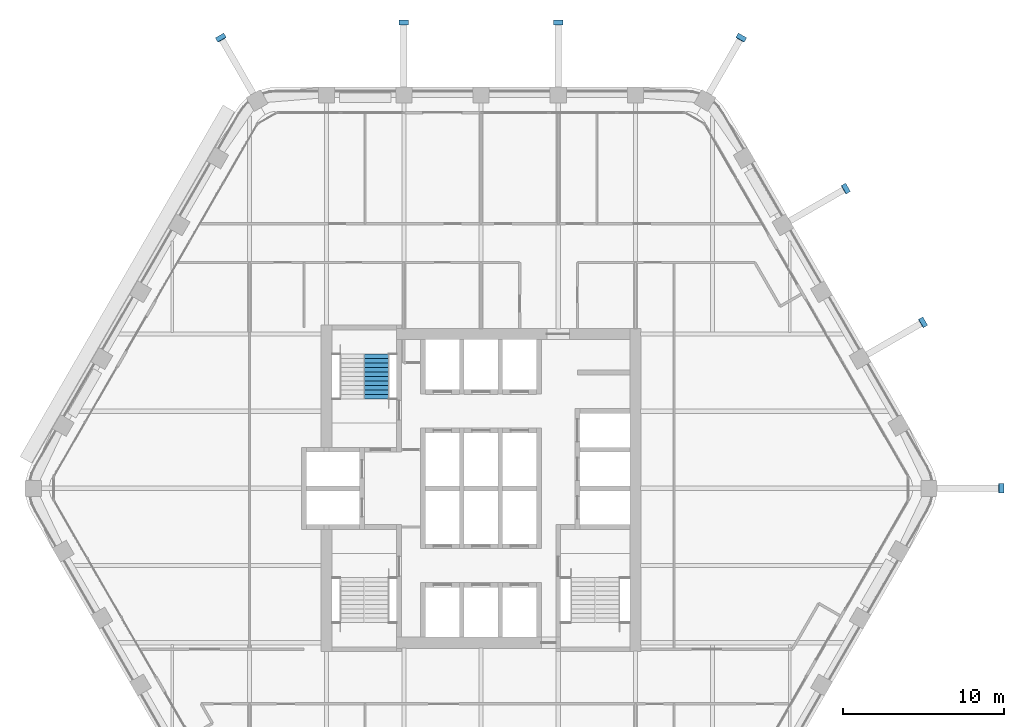
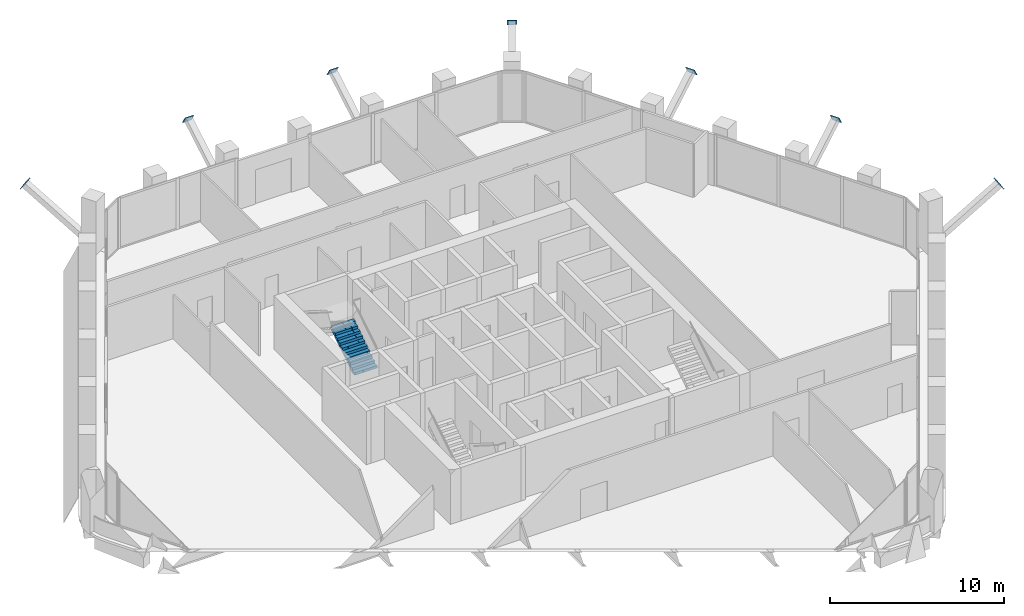
# One storey, part 14 of 16: 7 discrete accessories, 1 stair flight, 1 element without a shape of its own.
"""IFC4 building model written with IfcOpenShell, lengths in metres."""

import ifcopenshell
import ifcopenshell.guid

model = None  # the IFC model being written
_history = None  # IfcOwnerHistory: only IFC2X3 demands one
_inside = {}  # id of a spatial element -> (the spatial element, [elements in it])
_under = {}  # id of a project, library or spatial element -> (it, [spatial elements below it])
_declared = {}  # id of a project -> (the project, [libraries it declares])
_typed = {}  # id of a type object -> (the type object, [elements of that type])
_made_of = {}  # id of a material, layer set ... -> (it, [elements and type objects made of it])


def new_model(schema):
    """Start an empty IFC model of exactly this schema.

    Asked for "IFC4X3", IfcOpenShell would pick the latest addendum, in which some entities
    have other attributes; the version numbers below select the first issue.
    IFC2X3 requires an IfcOwnerHistory on every rooted entity: one is made here for all.
    """
    global model, _history
    if schema == "IFC4X3":
        model = ifcopenshell.file(schema_version=(4, 3, 0, 0))
    else:
        model = ifcopenshell.file(schema=schema)
    _inside.clear()
    _under.clear()
    _declared.clear()
    _typed.clear()
    _made_of.clear()
    _history = None
    if model.schema == "IFC2X3":
        org = make("IfcOrganization", Name="unknown")
        user = make(
            "IfcPersonAndOrganization",
            ThePerson=make("IfcPerson", FamilyName="unknown"),
            TheOrganization=org,
        )
        app = make(
            "IfcApplication",
            ApplicationDeveloper=org,
            Version="unknown",
            ApplicationFullName="unknown",
            ApplicationIdentifier="unknown",
        )
        _history = make(
            "IfcOwnerHistory",
            OwningUser=user,
            OwningApplication=app,
            ChangeAction="ADDED",
            CreationDate=0,
        )
    return model


def make(cls, **values):
    """One entity of the class cls with the attributes given. An attribute that is None is left unset."""
    return model.create_entity(
        cls, **{name: value for name, value in values.items() if value is not None}
    )


def rooted(cls, **values):
    """An entity with a GlobalId (a new one), such as an element, a storey or a relation."""
    return make(cls, GlobalId=ifcopenshell.guid.new(), OwnerHistory=_history, **values)


def si_unit(unit_type, name, prefix=None):
    """IfcSIUnit, for example si_unit("LENGTHUNIT", "METRE", prefix="MILLI")."""
    return make("IfcSIUnit", UnitType=unit_type, Prefix=prefix, Name=name)


def assignment(units):
    """IfcUnitAssignment: the units of a project."""
    return None if units is None else make("IfcUnitAssignment", Units=units)


def point(xyz):
    """IfcCartesianPoint."""
    return None if xyz is None else make("IfcCartesianPoint", Coordinates=xyz)


def direction(xyz):
    """IfcDirection."""
    return None if xyz is None else make("IfcDirection", DirectionRatios=xyz)


def frame(location, z_axis=None, x_axis=None):
    """IfcAxis2Placement3D, a coordinate frame: its origin and axes. An axis left out is left unset."""
    return make(
        "IfcAxis2Placement3D",
        Location=point(location),
        Axis=direction(z_axis),
        RefDirection=direction(x_axis),
    )


def frame_2d(location, x_axis=None):
    """IfcAxis2Placement2D, a coordinate frame in the plane: its origin and x axis."""
    return make(
        "IfcAxis2Placement2D", Location=point(location), RefDirection=direction(x_axis)
    )


def origin():
    """The frame at (0, 0, 0) with its axes left unset."""
    return frame((0.0, 0.0, 0.0))


def origin_2d():
    """The frame at (0, 0) in the plane with its x axis left unset."""
    return frame_2d((0.0, 0.0))


def place(relative_to, where):
    """IfcLocalPlacement: puts the frame where relative to a parent placement (None: the world)."""
    return make(
        "IfcLocalPlacement", PlacementRelTo=relative_to, RelativePlacement=where
    )


def context(
    kind, dimensions, precision=None, world=None, true_north=None, identifier=None
):
    """IfcGeometricRepresentationContext, for example the 3D "Model" context."""
    return make(
        "IfcGeometricRepresentationContext",
        ContextIdentifier=identifier,
        ContextType=kind,
        CoordinateSpaceDimension=dimensions,
        Precision=precision,
        WorldCoordinateSystem=world,
        TrueNorth=true_north,
    )


def subcontext(parent, identifier, kind, view, scale=None):
    """IfcGeometricRepresentationSubContext, for example "Body" below "Model"."""
    return make(
        "IfcGeometricRepresentationSubContext",
        ContextIdentifier=identifier,
        ContextType=kind,
        ParentContext=parent,
        TargetScale=scale,
        TargetView=view,
    )


def project(units=None, contexts=None):
    """IfcProject with its units and contexts."""
    return rooted(
        "IfcProject",
        Name="project",
        RepresentationContexts=contexts,
        UnitsInContext=assignment(units),
    )


def spatial(cls, under=None, at=None, **own):
    """A site, building, storey or space (cls), placed at a placement, below another one or the project."""
    s = rooted(cls, ObjectPlacement=at, **own)
    if under is not None:
        _under.setdefault(under.id(), (under, []))[1].append(s)
    return s


def polyline(points):
    """IfcPolyline through the points."""
    return make("IfcPolyline", Points=[point(p) for p in points])


def profile(cls, at=None, kind="AREA", **sizes):
    """A parametric profile (cls). Its sizes go by their IFC names, for example OverallWidth=200.0."""
    return make(cls, ProfileType=kind, Position=at, **sizes)


def rectangle(**sizes):
    """IfcRectangleProfileDef."""
    return profile("IfcRectangleProfileDef", **sizes)


def outline(outer, holes=None, kind="AREA"):
    """IfcArbitraryClosedProfileDef: a profile drawn as a closed curve; with holes, ...WithVoids."""
    if holes is None:
        return make("IfcArbitraryClosedProfileDef", ProfileType=kind, OuterCurve=outer)
    return make(
        "IfcArbitraryProfileDefWithVoids",
        ProfileType=kind,
        OuterCurve=outer,
        InnerCurves=holes,
    )


def extrude(swept, where, along, depth):
    """IfcExtrudedAreaSolid: the profile swept, set in the frame where, extruded along a direction by depth."""
    return make(
        "IfcExtrudedAreaSolid",
        SweptArea=swept,
        Position=where,
        ExtrudedDirection=direction(along),
        Depth=depth,
    )


def shape(context_of_items, identifier, shape_type, items):
    """IfcShapeRepresentation: the items that make up one representation, for example the "Body"."""
    return make(
        "IfcShapeRepresentation",
        ContextOfItems=context_of_items,
        RepresentationIdentifier=identifier,
        RepresentationType=shape_type,
        Items=items,
    )


def material(Name=None, Category=None):
    """IfcMaterial."""
    return make("IfcMaterial", Name=Name, Category=Category)


def made_of(thing, what):
    """Note that an element or type object is made of a material, layer set ...; save() writes the relation."""
    if what is not None:
        _made_of.setdefault(what.id(), (what, []))[1].append(thing)
    return thing


def type_object(cls, material=None, **own):
    """A type object (cls), such as IfcWallType, which elements share."""
    return made_of(rooted(cls, **own), material)


def element(
    cls,
    number,
    at=None,
    inside=None,
    cuts=None,
    type_object=None,
    material=None,
    context=None,
    identifier="Body",
    shape_type=None,
    held_by="IfcProductDefinitionShape",
    body=None,
    shapes=None,
    **own,
):
    """One element of the class cls, such as IfcWall. Its Tag is "e" and its number.

    at: its placement. inside: the storey or other place that contains it. cuts: it is an
    opening in that element (IfcRelVoidsElement). A single representation is given by context,
    identifier, shape_type and body (its items); several are given by shapes. held_by: the class
    of the entity that holds the representations. save() writes the other relations.
    """
    e = rooted(cls, Tag="e%d" % number, ObjectPlacement=at, **own)
    if body is not None:
        shapes = [shape(context, identifier, shape_type, body)]
    if shapes is not None:
        e.Representation = make(held_by, Representations=shapes)
    if inside is not None:
        _inside.setdefault(inside.id(), (inside, []))[1].append(e)
    if cuts is not None:
        rooted(
            "IfcRelVoidsElement", RelatingBuildingElement=cuts, RelatedOpeningElement=e
        )
    if type_object is not None:
        _typed.setdefault(type_object.id(), (type_object, []))[1].append(e)
    return made_of(e, material)


def aggregate(whole, parts):
    """IfcRelAggregates: a whole, such as a stair, and the parts it consists of."""
    return rooted("IfcRelAggregates", RelatingObject=whole, RelatedObjects=parts)


def save(model, path):
    """Write the relations noted so far, then the file.

    IfcRelAggregates (storeys below a building ...), IfcRelContainedInSpatialStructure (elements
    in a storey), IfcRelDefinesByType, IfcRelAssociatesMaterial and IfcRelDeclares: one each for
    every whole, place, type object, material and project.
    """
    for whole, parts in _under.values():
        aggregate(whole, parts)
    for where, things in _inside.values():
        rooted(
            "IfcRelContainedInSpatialStructure",
            RelatedElements=things,
            RelatingStructure=where,
        )
    for kind, things in _typed.values():
        rooted("IfcRelDefinesByType", RelatedObjects=things, RelatingType=kind)
    for what, things in _made_of.values():
        rooted("IfcRelAssociatesMaterial", RelatedObjects=things, RelatingMaterial=what)
    for by, libraries in _declared.values():
        rooted("IfcRelDeclares", RelatingContext=by, RelatedDefinitions=libraries)
    model.write(path)


model = new_model("IFC4")

# Units and contexts
model_context = context("Model", 3, precision=1e-05, world=origin(), true_north=direction((0.0, 1.0)))
body_context = subcontext(model_context, "Body", "Model", "MODEL_VIEW")
ifc_project = project(units=[si_unit("LENGTHUNIT", "METRE"), si_unit("AREAUNIT", "SQUARE_METRE"), si_unit("VOLUMEUNIT", "CUBIC_METRE"), si_unit("PLANEANGLEUNIT", "RADIAN"), si_unit("MASSUNIT", "GRAM", prefix="KILO")], contexts=[model_context])

# Site, building, storey
site_placement = place(None, origin())
site = spatial("IfcSite", under=ifc_project, at=site_placement, CompositionType="ELEMENT")
building_placement = place(site_placement, origin())
building = spatial("IfcBuilding", under=site, at=building_placement, Name="Kolab Exchange Tower", CompositionType="ELEMENT")
storey_placement = place(building_placement, frame((0.0, 0.0, 162.199951171875)))
storey = spatial("IfcBuildingStorey", under=building, at=storey_placement, Name="L33", CompositionType="ELEMENT", Elevation=162.199951171875)

# Stair, stair flight
ifc_material = material(Name="Concrete C50/60", Category="concrete")
stair_type = type_object("IfcStairType", Name="STAIR ST1 RISER 177.3", PredefinedType="HALF_TURN_STAIR", material=ifc_material)
stair_placement = place(storey_placement, origin())
stair = element("IfcStair", 1, at=stair_placement, inside=storey, type_object=stair_type, Name="Stair 1", PredefinedType="HALF_TURN_STAIR")
stair_flight_type = type_object("IfcStairFlightType", Name="STAIR FLIGHT 1500 RISER 177.3", PredefinedType="STRAIGHT", material=ifc_material)
stair_flight_placement = place(storey_placement, frame((-6.489990234375, 5.550048828125, 0.0), z_axis=(0.0, 0.0, 1.0), x_axis=(0.0, 1.0, 0.0)))
stair_flight = element("IfcStairFlight", 2, at=stair_flight_placement, type_object=stair_flight_type, Name="ST1 flight 1", NumberOfRisers=11, NumberOfTreads=10, PredefinedType="STRAIGHT", RiserHeight=0.177272727, TreadLength=0.28, context=body_context, shape_type="SweptSolid", body=[
    extrude(outline(polyline([(0.0, 0.0), (0.0, 0.17724609375), (0.280029296875, 0.17724609375), (0.280029296875, 0.3544921875), (0.56005859375, 0.3544921875), (0.56005859375, 0.53173828125), (0.840087890625, 0.53173828125), (0.840087890625, 0.708984375), (1.1201171875, 0.708984375), (1.1201171875, 0.886474609375), (1.39990234375, 0.886474609375), (1.39990234375, 1.063720703125), (1.679931640625, 1.063720703125), (1.679931640625, 1.240966796875), (1.9599609375, 1.240966796875), (1.9599609375, 1.418212890625), (2.239990234375, 1.418212890625), (2.239990234375, 1.595458984375), (2.52001953125, 1.595458984375), (2.52001953125, 1.772705078125), (2.800048828125, 1.772705078125), (2.800048828125, 1.949951171875), (2.800048828125, 1.59521484375), (0.2802734375, 0.0), (0.0, 0.0)])), frame((0.0, 0.75, 0.0), z_axis=(0.0, -1.0, 0.0), x_axis=(1.0, 0.0, 0.0)), (0.0, 0.0, 1.0), 0.185791015625),
    extrude(outline(polyline([(0.0, 0.0), (0.0, 0.17724609375), (0.280029296875, 0.17724609375), (0.280029296875, 0.3544921875), (0.56005859375, 0.3544921875), (0.56005859375, 0.53173828125), (0.840087890625, 0.53173828125), (0.840087890625, 0.708984375), (1.1201171875, 0.708984375), (1.1201171875, 0.886474609375), (1.39990234375, 0.886474609375), (1.39990234375, 1.063720703125), (1.679931640625, 1.063720703125), (1.679931640625, 1.240966796875), (1.9599609375, 1.240966796875), (1.9599609375, 1.418212890625), (2.239990234375, 1.418212890625), (2.239990234375, 1.595458984375), (2.52001953125, 1.595458984375), (2.52001953125, 1.772705078125), (2.800048828125, 1.772705078125), (2.800048828125, 1.949951171875), (2.800048828125, 1.59521484375), (0.2802734375, 0.0), (0.0, 0.0)])), frame((0.0, 0.562255859375, 0.0), z_axis=(0.0, -1.0, 0.0), x_axis=(1.0, 0.0, 0.0)), (0.0, 0.0, 1.0), 0.185791015625),
    extrude(outline(polyline([(0.0, 0.0), (0.0, 0.17724609375), (0.280029296875, 0.17724609375), (0.280029296875, 0.3544921875), (0.56005859375, 0.3544921875), (0.56005859375, 0.53173828125), (0.840087890625, 0.53173828125), (0.840087890625, 0.708984375), (1.1201171875, 0.708984375), (1.1201171875, 0.886474609375), (1.39990234375, 0.886474609375), (1.39990234375, 1.063720703125), (1.679931640625, 1.063720703125), (1.679931640625, 1.240966796875), (1.9599609375, 1.240966796875), (1.9599609375, 1.418212890625), (2.239990234375, 1.418212890625), (2.239990234375, 1.595458984375), (2.52001953125, 1.595458984375), (2.52001953125, 1.772705078125), (2.800048828125, 1.772705078125), (2.800048828125, 1.949951171875), (2.800048828125, 1.59521484375), (0.2802734375, 0.0), (0.0, 0.0)])), frame((0.0, 0.37451171875, 0.0), z_axis=(0.0, -1.0, 0.0), x_axis=(1.0, 0.0, 0.0)), (0.0, 0.0, 1.0), 0.185791015625),
    extrude(outline(polyline([(0.0, 0.0), (0.0, 0.17724609375), (0.280029296875, 0.17724609375), (0.280029296875, 0.3544921875), (0.56005859375, 0.3544921875), (0.56005859375, 0.53173828125), (0.840087890625, 0.53173828125), (0.840087890625, 0.708984375), (1.1201171875, 0.708984375), (1.1201171875, 0.886474609375), (1.39990234375, 0.886474609375), (1.39990234375, 1.063720703125), (1.679931640625, 1.063720703125), (1.679931640625, 1.240966796875), (1.9599609375, 1.240966796875), (1.9599609375, 1.418212890625), (2.239990234375, 1.418212890625), (2.239990234375, 1.595458984375), (2.52001953125, 1.595458984375), (2.52001953125, 1.772705078125), (2.800048828125, 1.772705078125), (2.800048828125, 1.949951171875), (2.800048828125, 1.59521484375), (0.2802734375, 0.0), (0.0, 0.0)])), frame((0.0, 0.186767578125, 0.0), z_axis=(0.0, -1.0, 0.0), x_axis=(1.0, 0.0, 0.0)), (0.0, 0.0, 1.0), 0.185791015625),
    extrude(outline(polyline([(0.0, 0.0), (0.0, 0.17724609375), (0.280029296875, 0.17724609375), (0.280029296875, 0.3544921875), (0.56005859375, 0.3544921875), (0.56005859375, 0.53173828125), (0.840087890625, 0.53173828125), (0.840087890625, 0.708984375), (1.1201171875, 0.708984375), (1.1201171875, 0.886474609375), (1.39990234375, 0.886474609375), (1.39990234375, 1.063720703125), (1.679931640625, 1.063720703125), (1.679931640625, 1.240966796875), (1.9599609375, 1.240966796875), (1.9599609375, 1.418212890625), (2.239990234375, 1.418212890625), (2.239990234375, 1.595458984375), (2.52001953125, 1.595458984375), (2.52001953125, 1.772705078125), (2.800048828125, 1.772705078125), (2.800048828125, 1.949951171875), (2.800048828125, 1.59521484375), (0.2802734375, 0.0), (0.0, 0.0)])), frame((0.0, -0.0009765625, 0.0), z_axis=(0.0, -1.0, 0.0), x_axis=(1.0, 0.0, 0.0)), (0.0, 0.0, 1.0), 0.185791015625),
    extrude(outline(polyline([(0.0, 0.0), (0.0, 0.17724609375), (0.280029296875, 0.17724609375), (0.280029296875, 0.3544921875), (0.56005859375, 0.3544921875), (0.56005859375, 0.53173828125), (0.840087890625, 0.53173828125), (0.840087890625, 0.708984375), (1.1201171875, 0.708984375), (1.1201171875, 0.886474609375), (1.39990234375, 0.886474609375), (1.39990234375, 1.063720703125), (1.679931640625, 1.063720703125), (1.679931640625, 1.240966796875), (1.9599609375, 1.240966796875), (1.9599609375, 1.418212890625), (2.239990234375, 1.418212890625), (2.239990234375, 1.595458984375), (2.52001953125, 1.595458984375), (2.52001953125, 1.772705078125), (2.800048828125, 1.772705078125), (2.800048828125, 1.949951171875), (2.800048828125, 1.59521484375), (0.2802734375, 0.0), (0.0, 0.0)])), frame((0.0, -0.188720703125, 0.0), z_axis=(0.0, -1.0, 0.0), x_axis=(1.0, 0.0, 0.0)), (0.0, 0.0, 1.0), 0.185791015625),
    extrude(outline(polyline([(0.0, 0.0), (0.0, 0.17724609375), (0.280029296875, 0.17724609375), (0.280029296875, 0.3544921875), (0.56005859375, 0.3544921875), (0.56005859375, 0.53173828125), (0.840087890625, 0.53173828125), (0.840087890625, 0.708984375), (1.1201171875, 0.708984375), (1.1201171875, 0.886474609375), (1.39990234375, 0.886474609375), (1.39990234375, 1.063720703125), (1.679931640625, 1.063720703125), (1.679931640625, 1.240966796875), (1.9599609375, 1.240966796875), (1.9599609375, 1.418212890625), (2.239990234375, 1.418212890625), (2.239990234375, 1.595458984375), (2.52001953125, 1.595458984375), (2.52001953125, 1.772705078125), (2.800048828125, 1.772705078125), (2.800048828125, 1.949951171875), (2.800048828125, 1.59521484375), (0.2802734375, 0.0), (0.0, 0.0)])), frame((0.0, -0.37646484375, 0.0), z_axis=(0.0, -1.0, 0.0), x_axis=(1.0, 0.0, 0.0)), (0.0, 0.0, 1.0), 0.185791015625),
    extrude(outline(polyline([(0.0, 0.0), (0.0, 0.17724609375), (0.280029296875, 0.17724609375), (0.280029296875, 0.3544921875), (0.56005859375, 0.3544921875), (0.56005859375, 0.53173828125), (0.840087890625, 0.53173828125), (0.840087890625, 0.708984375), (1.1201171875, 0.708984375), (1.1201171875, 0.886474609375), (1.39990234375, 0.886474609375), (1.39990234375, 1.063720703125), (1.679931640625, 1.063720703125), (1.679931640625, 1.240966796875), (1.9599609375, 1.240966796875), (1.9599609375, 1.418212890625), (2.239990234375, 1.418212890625), (2.239990234375, 1.595458984375), (2.52001953125, 1.595458984375), (2.52001953125, 1.772705078125), (2.800048828125, 1.772705078125), (2.800048828125, 1.949951171875), (2.800048828125, 1.59521484375), (0.2802734375, 0.0), (0.0, 0.0)])), frame((0.0, -0.564208984375, 0.0), z_axis=(0.0, -1.0, 0.0), x_axis=(1.0, 0.0, 0.0)), (0.0, 0.0, 1.0), 0.185791015625),
])
aggregate(stair, [stair_flight])

# Discrete accessories
for number, where, z_axis, x_axis, name in (
    (3, (-16.16796875, 28.003662109375, 2.968017578125), (-0.427992075146, 0.748986131505, 0.505808816081), (-0.868243142124, -0.496138938357, 0.0), "Gusset plate"),
    (4, (-4.800048828125, 28.94140625, 2.968017578125), (0.0, 0.863426825129, 0.504474100076), (-1.0, 0.0, 0.0), "Gusset plate"),
    (5, (4.800048828125, 28.94140625, 2.968017578125), (0.0, 0.863426825129, 0.504474100076), (-1.0, 0.0, 0.0), "Gusset plate"),
    (6, (16.16796875, 28.003662109375, 2.968017578125), (0.427992075146, 0.748986131505, 0.505808816081), (-0.868243142124, 0.496138938357, 0.0), "Gusset plate"),
    (7, (22.6640625, 18.627685546875, 2.968017578125), (0.748986131505, 0.427992075146, 0.505808816081), (-0.496138938357, 0.868243142124, 0.0), "Gusset plate"),
    (8, (27.464111328125, 10.313720703125, 2.968017578125), (0.745852358238, 0.435887741827, 0.503692501667), (-0.504568019295, 0.863371944127, 0.0), "Gusset plate"),
):
    element("IfcDiscreteAccessory", number, at=place(storey_placement, frame(where, z_axis=z_axis, x_axis=x_axis)), inside=storey, Name=name, ObjectType="GUSSET PLATE", PredefinedType="USERDEFINED", context=body_context, shape_type="SweptSolid", body=[
        extrude(rectangle(XDim=0.60009765625, YDim=0.60009765625, at=origin_2d()), origin(), (0.0, 0.0, 1.0), 0.025146484375),
    ])
discrete_accessory_placement = place(storey_placement, frame((32.3359375, 0.0, 2.968017578125), z_axis=(0.860926528214, 0.0, 0.508729312127), x_axis=(0.0, 1.0, 0.0)))
element("IfcDiscreteAccessory", 9, at=discrete_accessory_placement, inside=storey, Name="Gusset plate", ObjectType="GUSSET PLATE", PredefinedType="USERDEFINED", context=body_context, shape_type="SweptSolid", body=[
    extrude(rectangle(XDim=0.60009765625, YDim=0.60009765625, at=origin_2d()), origin(), (0.0, 0.0, 1.0), 0.02490234375),
])

save(model, "model.ifc")
